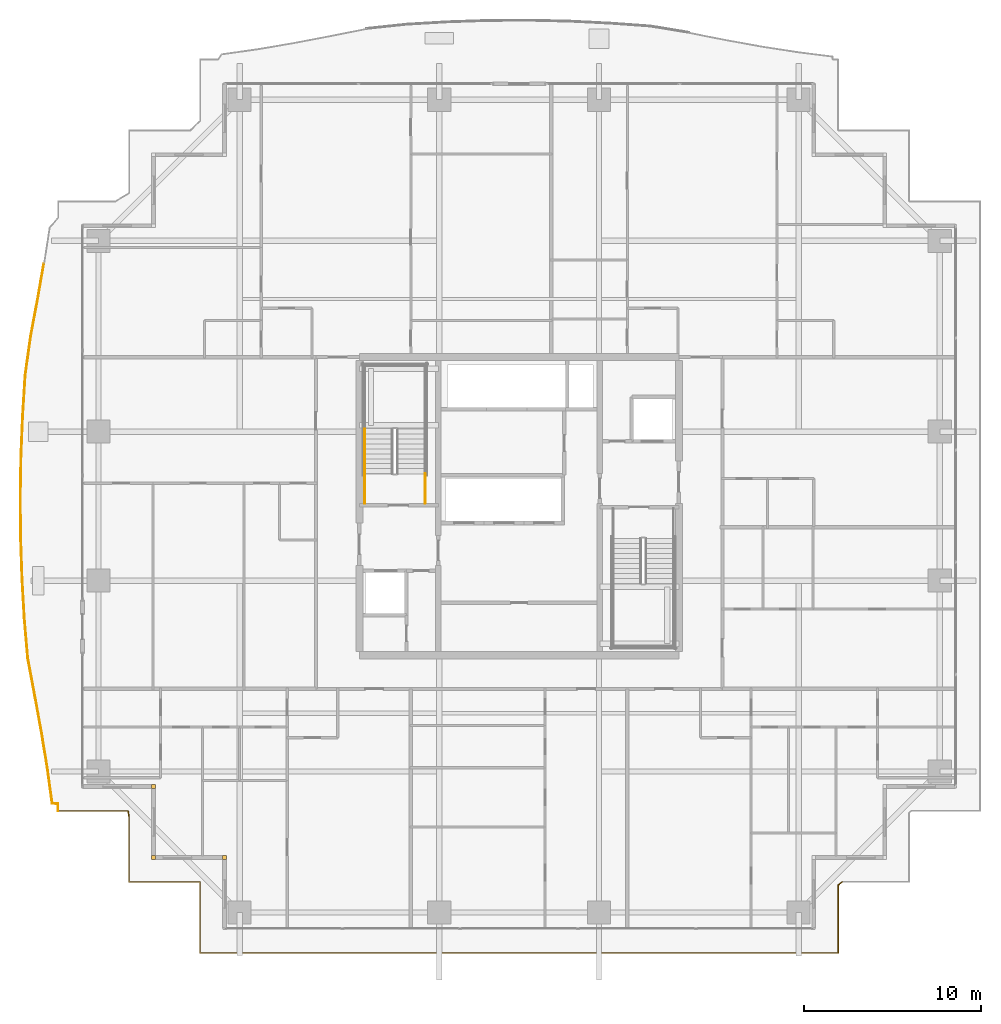
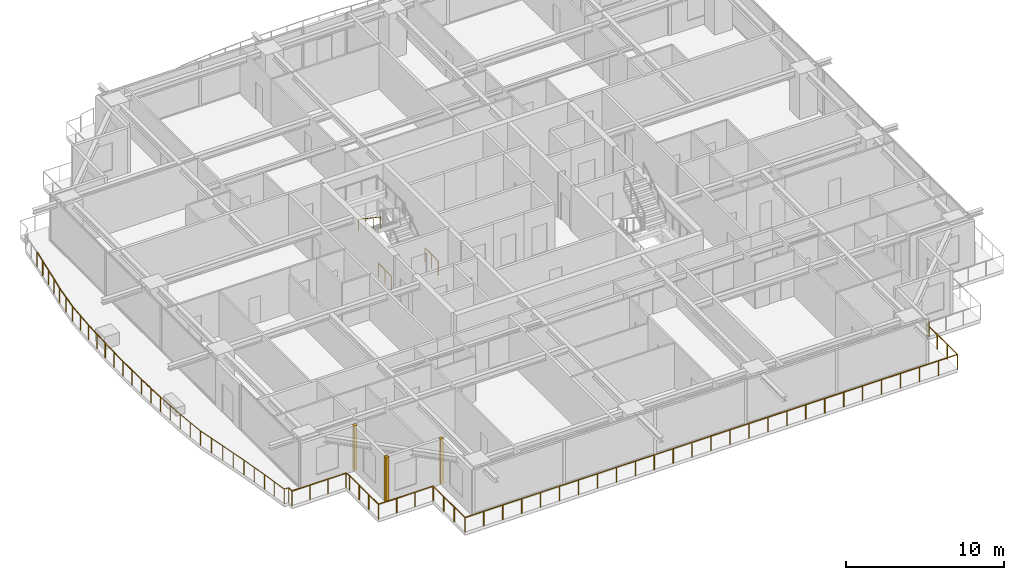
# One storey, part 34 of 38: 6 railings, 3 coverings.
"""IFC4 building model written with IfcOpenShell, lengths in metres."""

import ifcopenshell
import ifcopenshell.guid

model = None  # the IFC model being written
_history = None  # IfcOwnerHistory: only IFC2X3 demands one
_inside = {}  # id of a spatial element -> (the spatial element, [elements in it])
_under = {}  # id of a project, library or spatial element -> (it, [spatial elements below it])
_declared = {}  # id of a project -> (the project, [libraries it declares])
_typed = {}  # id of a type object -> (the type object, [elements of that type])
_made_of = {}  # id of a material, layer set ... -> (it, [elements and type objects made of it])


def new_model(schema):
    """Start an empty IFC model of exactly this schema.

    Asked for "IFC4X3", IfcOpenShell would pick the latest addendum, in which some entities
    have other attributes; the version numbers below select the first issue.
    IFC2X3 requires an IfcOwnerHistory on every rooted entity: one is made here for all.
    """
    global model, _history
    if schema == "IFC4X3":
        model = ifcopenshell.file(schema_version=(4, 3, 0, 0))
    else:
        model = ifcopenshell.file(schema=schema)
    _inside.clear()
    _under.clear()
    _declared.clear()
    _typed.clear()
    _made_of.clear()
    _history = None
    if model.schema == "IFC2X3":
        org = make("IfcOrganization", Name="unknown")
        user = make(
            "IfcPersonAndOrganization",
            ThePerson=make("IfcPerson", FamilyName="unknown"),
            TheOrganization=org,
        )
        app = make(
            "IfcApplication",
            ApplicationDeveloper=org,
            Version="unknown",
            ApplicationFullName="unknown",
            ApplicationIdentifier="unknown",
        )
        _history = make(
            "IfcOwnerHistory",
            OwningUser=user,
            OwningApplication=app,
            ChangeAction="ADDED",
            CreationDate=0,
        )
    return model


def make(cls, **values):
    """One entity of the class cls with the attributes given. An attribute that is None is left unset."""
    return model.create_entity(
        cls, **{name: value for name, value in values.items() if value is not None}
    )


def rooted(cls, **values):
    """An entity with a GlobalId (a new one), such as an element, a storey or a relation."""
    return make(cls, GlobalId=ifcopenshell.guid.new(), OwnerHistory=_history, **values)


def si_unit(unit_type, name, prefix=None):
    """IfcSIUnit, for example si_unit("LENGTHUNIT", "METRE", prefix="MILLI")."""
    return make("IfcSIUnit", UnitType=unit_type, Prefix=prefix, Name=name)


def assignment(units):
    """IfcUnitAssignment: the units of a project."""
    return None if units is None else make("IfcUnitAssignment", Units=units)


def point(xyz):
    """IfcCartesianPoint."""
    return None if xyz is None else make("IfcCartesianPoint", Coordinates=xyz)


def direction(xyz):
    """IfcDirection."""
    return None if xyz is None else make("IfcDirection", DirectionRatios=xyz)


def frame(location, z_axis=None, x_axis=None):
    """IfcAxis2Placement3D, a coordinate frame: its origin and axes. An axis left out is left unset."""
    return make(
        "IfcAxis2Placement3D",
        Location=point(location),
        Axis=direction(z_axis),
        RefDirection=direction(x_axis),
    )


def frame_2d(location, x_axis=None):
    """IfcAxis2Placement2D, a coordinate frame in the plane: its origin and x axis."""
    return make(
        "IfcAxis2Placement2D", Location=point(location), RefDirection=direction(x_axis)
    )


def origin():
    """The frame at (0, 0, 0) with its axes left unset."""
    return frame((0.0, 0.0, 0.0))


def origin_2d():
    """The frame at (0, 0) in the plane with its x axis left unset."""
    return frame_2d((0.0, 0.0))


def place(relative_to, where):
    """IfcLocalPlacement: puts the frame where relative to a parent placement (None: the world)."""
    return make(
        "IfcLocalPlacement", PlacementRelTo=relative_to, RelativePlacement=where
    )


def context(
    kind, dimensions, precision=None, world=None, true_north=None, identifier=None
):
    """IfcGeometricRepresentationContext, for example the 3D "Model" context."""
    return make(
        "IfcGeometricRepresentationContext",
        ContextIdentifier=identifier,
        ContextType=kind,
        CoordinateSpaceDimension=dimensions,
        Precision=precision,
        WorldCoordinateSystem=world,
        TrueNorth=true_north,
    )


def subcontext(parent, identifier, kind, view, scale=None):
    """IfcGeometricRepresentationSubContext, for example "Body" below "Model"."""
    return make(
        "IfcGeometricRepresentationSubContext",
        ContextIdentifier=identifier,
        ContextType=kind,
        ParentContext=parent,
        TargetScale=scale,
        TargetView=view,
    )


def project(units=None, contexts=None):
    """IfcProject with its units and contexts."""
    return rooted(
        "IfcProject",
        Name="project",
        RepresentationContexts=contexts,
        UnitsInContext=assignment(units),
    )


def spatial(cls, under=None, at=None, **own):
    """A site, building, storey or space (cls), placed at a placement, below another one or the project."""
    s = rooted(cls, ObjectPlacement=at, **own)
    if under is not None:
        _under.setdefault(under.id(), (under, []))[1].append(s)
    return s


def profile(cls, at=None, kind="AREA", **sizes):
    """A parametric profile (cls). Its sizes go by their IFC names, for example OverallWidth=200.0."""
    return make(cls, ProfileType=kind, Position=at, **sizes)


def rectangle(**sizes):
    """IfcRectangleProfileDef."""
    return profile("IfcRectangleProfileDef", **sizes)


def circle(**sizes):
    """IfcCircleProfileDef."""
    return profile("IfcCircleProfileDef", **sizes)


def extrude(swept, where, along, depth):
    """IfcExtrudedAreaSolid: the profile swept, set in the frame where, extruded along a direction by depth."""
    return make(
        "IfcExtrudedAreaSolid",
        SweptArea=swept,
        Position=where,
        ExtrudedDirection=direction(along),
        Depth=depth,
    )


def shape(context_of_items, identifier, shape_type, items):
    """IfcShapeRepresentation: the items that make up one representation, for example the "Body"."""
    return make(
        "IfcShapeRepresentation",
        ContextOfItems=context_of_items,
        RepresentationIdentifier=identifier,
        RepresentationType=shape_type,
        Items=items,
    )


def source(mapping_origin, context_of_items, identifier, shape_type, items):
    """IfcRepresentationMap: a shape defined once, which mapped items show again and again."""
    return make(
        "IfcRepresentationMap",
        MappingOrigin=mapping_origin,
        MappedRepresentation=shape(context_of_items, identifier, shape_type, items),
    )


def transform(
    local_origin,
    x_axis=None,
    y_axis=None,
    z_axis=None,
    scale=None,
    scale2=None,
    scale3=None,
    uniform=True,
):
    """IfcCartesianTransformationOperator3D, or its non-uniform kind. x_axis, y_axis, z_axis: its Axis1, 2, 3."""
    if uniform:
        return make(
            "IfcCartesianTransformationOperator3D",
            Axis1=direction(x_axis),
            Axis2=direction(y_axis),
            LocalOrigin=point(local_origin),
            Scale=scale,
            Axis3=direction(z_axis),
        )
    return make(
        "IfcCartesianTransformationOperator3DnonUniform",
        Axis1=direction(x_axis),
        Axis2=direction(y_axis),
        LocalOrigin=point(local_origin),
        Scale=scale,
        Axis3=direction(z_axis),
        Scale2=scale2,
        Scale3=scale3,
    )


def mapped(mapping_source, mapping_target):
    """IfcMappedItem: shows the shape of a source again, moved by a transform."""
    return make(
        "IfcMappedItem", MappingSource=mapping_source, MappingTarget=mapping_target
    )


def material(Name=None, Category=None):
    """IfcMaterial."""
    return make("IfcMaterial", Name=Name, Category=Category)


def layer(
    of_material, thickness, ventilated=None, Name=None, Category=None, Priority=None
):
    """IfcMaterialLayer: one layer of a wall or slab, of a material (None: an air gap)."""
    return make(
        "IfcMaterialLayer",
        Material=of_material,
        LayerThickness=thickness,
        IsVentilated=ventilated,
        Name=Name,
        Category=Category,
        Priority=Priority,
    )


def layer_set(layers, Name=None):
    """IfcMaterialLayerSet."""
    return make("IfcMaterialLayerSet", MaterialLayers=layers, LayerSetName=Name)


def made_of(thing, what):
    """Note that an element or type object is made of a material, layer set ...; save() writes the relation."""
    if what is not None:
        _made_of.setdefault(what.id(), (what, []))[1].append(thing)
    return thing


def type_object(cls, material=None, **own):
    """A type object (cls), such as IfcWallType, which elements share."""
    return made_of(rooted(cls, **own), material)


def element(
    cls,
    number,
    at=None,
    inside=None,
    cuts=None,
    type_object=None,
    material=None,
    context=None,
    identifier="Body",
    shape_type=None,
    held_by="IfcProductDefinitionShape",
    body=None,
    shapes=None,
    **own,
):
    """One element of the class cls, such as IfcWall. Its Tag is "e" and its number.

    at: its placement. inside: the storey or other place that contains it. cuts: it is an
    opening in that element (IfcRelVoidsElement). A single representation is given by context,
    identifier, shape_type and body (its items); several are given by shapes. held_by: the class
    of the entity that holds the representations. save() writes the other relations.
    """
    e = rooted(cls, Tag="e%d" % number, ObjectPlacement=at, **own)
    if body is not None:
        shapes = [shape(context, identifier, shape_type, body)]
    if shapes is not None:
        e.Representation = make(held_by, Representations=shapes)
    if inside is not None:
        _inside.setdefault(inside.id(), (inside, []))[1].append(e)
    if cuts is not None:
        rooted(
            "IfcRelVoidsElement", RelatingBuildingElement=cuts, RelatedOpeningElement=e
        )
    if type_object is not None:
        _typed.setdefault(type_object.id(), (type_object, []))[1].append(e)
    return made_of(e, material)


def aggregate(whole, parts):
    """IfcRelAggregates: a whole, such as a stair, and the parts it consists of."""
    return rooted("IfcRelAggregates", RelatingObject=whole, RelatedObjects=parts)


def save(model, path):
    """Write the relations noted so far, then the file.

    IfcRelAggregates (storeys below a building ...), IfcRelContainedInSpatialStructure (elements
    in a storey), IfcRelDefinesByType, IfcRelAssociatesMaterial and IfcRelDeclares: one each for
    every whole, place, type object, material and project.
    """
    for whole, parts in _under.values():
        aggregate(whole, parts)
    for where, things in _inside.values():
        rooted(
            "IfcRelContainedInSpatialStructure",
            RelatedElements=things,
            RelatingStructure=where,
        )
    for kind, things in _typed.values():
        rooted("IfcRelDefinesByType", RelatedObjects=things, RelatingType=kind)
    for what, things in _made_of.values():
        rooted("IfcRelAssociatesMaterial", RelatedObjects=things, RelatingMaterial=what)
    for by, libraries in _declared.values():
        rooted("IfcRelDeclares", RelatingContext=by, RelatedDefinitions=libraries)
    model.write(path)


model = new_model("IFC4")

# Units and contexts
model_context = context("Model", 3, precision=1e-05, world=origin(), true_north=direction((0.0, 1.0)))
body_context = subcontext(model_context, "Body", "Model", "MODEL_VIEW")
ifc_project = project(units=[si_unit("LENGTHUNIT", "METRE"), si_unit("AREAUNIT", "SQUARE_METRE"), si_unit("VOLUMEUNIT", "CUBIC_METRE"), si_unit("PLANEANGLEUNIT", "RADIAN"), si_unit("MASSUNIT", "GRAM", prefix="KILO")], contexts=[model_context])

# Site, building, storey
site_placement = place(None, origin())
site = spatial("IfcSite", under=ifc_project, at=site_placement, CompositionType="ELEMENT")
building_placement = place(site_placement, origin())
building = spatial("IfcBuilding", under=site, at=building_placement, Name="Serunith Strait Residences", CompositionType="ELEMENT")
storey_placement = place(building_placement, frame((0.0, 0.0, 183.89990234375)))
storey = spatial("IfcBuildingStorey", under=building, at=storey_placement, Name="L46", CompositionType="ELEMENT", Elevation=183.89990234375)

# Railings
ifc_material_1 = material(Name="Stainless Steel & Laminated Glass Balustrade", Category="steel")
railing_type_1 = type_object("IfcRailingType", Name="RLG-BALC-1150", PredefinedType="BALUSTRADE", material=ifc_material_1)
railing_1_placement = place(storey_placement, frame((6.419921875, 8.02001953125, -0.0498046875)))
element("IfcRailing", 1, at=railing_1_placement, inside=storey, type_object=railing_type_1, Name="L46 Swirling Balcony Perimeter Balustrade 1", PredefinedType="BALUSTRADE", context=body_context, shape_type="SweptSolid", body=[
    extrude(circle(Radius=0.02392578125, at=origin_2d()), frame((0.0, 0.001953125, 1.1259765625), z_axis=(0.0, 1.0, 0.0), x_axis=(-1.0, 0.0, 0.0)), (0.0, 0.0, 1.0), 0.405029296875),
    extrude(circle(Radius=0.02392578125, at=origin_2d()), frame((-0.001953125, 0.408935546875, 1.1259765625), z_axis=(-0.998325790598, 0.057841298628, 0.0), x_axis=(-0.057841298628, -0.998325790598, 0.0)), (0.0, 0.0, 1.0), 0.321044921875),
    extrude(circle(Radius=0.02392578125, at=origin_2d()), frame((-0.32470703125, 0.4296875, 1.1259765625), z_axis=(-0.136804917562, 0.990598008544, 0.0), x_axis=(-0.990598008544, -0.136804917562, 0.0)), (0.0, 0.0, 1.0), 2.017822265625),
    extrude(circle(Radius=0.02392578125, at=origin_2d()), frame((-0.601318359375, 2.4326171875, 1.1259765625), z_axis=(-0.161288178164, 0.986907353091, 0.0), x_axis=(-0.986907353091, -0.161288178164, 0.0)), (0.0, 0.0, 1.0), 2.045654296875),
    extrude(circle(Radius=0.02392578125, at=origin_2d()), frame((-0.931884765625, 4.455322265625, 1.1259765625), z_axis=(-0.179131738735, 0.983825096335, 0.0), x_axis=(-0.983825096335, -0.179131738735, 0.0)), (0.0, 0.0, 1.0), 2.08935546875),
    extrude(circle(Radius=0.02392578125, at=origin_2d()), frame((-1.30712890625, 6.514892578125, 1.1259765625), z_axis=(-0.184295386812, 0.982870902204, 0.0), x_axis=(-0.982870902204, -0.184295386812, 0.0)), (0.0, 0.0, 1.0), 2.1474609375),
    extrude(circle(Radius=0.02392578125, at=origin_2d()), frame((-1.703369140625, 8.62939453125, 1.1259765625), z_axis=(-0.086554161922, 0.996247146573, 0.0), x_axis=(-0.996247146573, -0.086554161922, 0.0)), (0.0, 0.0, 1.0), 2.22998046875),
    extrude(circle(Radius=0.02392578125, at=origin_2d()), frame((-1.896484375, 10.85498046875, 1.1259765625), z_axis=(-0.055809488986, 0.998441435909, 0.0), x_axis=(-0.998441435909, -0.055809488986, 0.0)), (0.0, 0.0, 1.0), 2.266357421875),
    extrude(circle(Radius=0.02099609375, at=origin_2d()), origin(), (0.0, 0.0, 1.0), 1.099853515625),
    extrude(circle(Radius=0.02099609375, at=origin_2d()), frame((0.0, 0.408935546875, 0.0)), (0.0, 0.0, 1.0), 1.099853515625),
    extrude(circle(Radius=0.02099609375, at=origin_2d()), frame((-0.324462890625, 0.427734375, 0.0)), (0.0, 0.0, 1.0), 1.099853515625),
    extrude(circle(Radius=0.02099609375, at=origin_2d()), frame((-0.462890625, 1.42919921875, 0.0)), (0.0, 0.0, 1.0), 1.099853515625),
    extrude(circle(Radius=0.02099609375, at=origin_2d()), frame((-0.60107421875, 2.4306640625, 0.0)), (0.0, 0.0, 1.0), 1.099853515625),
    extrude(circle(Radius=0.02099609375, at=origin_2d()), frame((-0.766357421875, 3.44189453125, 0.0)), (0.0, 0.0, 1.0), 1.099853515625),
    extrude(circle(Radius=0.02099609375, at=origin_2d()), frame((-0.931640625, 4.453369140625, 0.0)), (0.0, 0.0, 1.0), 1.099853515625),
    extrude(circle(Radius=0.02099609375, at=origin_2d()), frame((-1.119140625, 5.483154296875, 0.0)), (0.0, 0.0, 1.0), 1.099853515625),
    extrude(circle(Radius=0.02099609375, at=origin_2d()), frame((-1.306640625, 6.512939453125, 0.0)), (0.0, 0.0, 1.0), 1.099853515625),
    extrude(circle(Radius=0.02099609375, at=origin_2d()), frame((-1.5048828125, 7.5703125, 0.0)), (0.0, 0.0, 1.0), 1.099853515625),
    extrude(circle(Radius=0.02099609375, at=origin_2d()), frame((-1.703125, 8.62744140625, 0.0)), (0.0, 0.0, 1.0), 1.099853515625),
    extrude(circle(Radius=0.02099609375, at=origin_2d()), frame((-1.7998046875, 9.740234375, 0.0)), (0.0, 0.0, 1.0), 1.099853515625),
    extrude(circle(Radius=0.02099609375, at=origin_2d()), frame((-1.896484375, 10.85302734375, 0.0)), (0.0, 0.0, 1.0), 1.099853515625),
    extrude(circle(Radius=0.02099609375, at=origin_2d()), frame((-1.9599609375, 11.986328125, 0.0)), (0.0, 0.0, 1.0), 1.099853515625),
    extrude(circle(Radius=0.02099609375, at=origin_2d()), frame((-2.023193359375, 13.119873046875, 0.0)), (0.0, 0.0, 1.0), 1.099853515625),
])
railing_2_placement = place(storey_placement, frame((4.396728515625, 21.139892578125, -0.0498046875)))
element("IfcRailing", 2, at=railing_2_placement, inside=storey, type_object=railing_type_1, Name="L46 Swirling Balcony Perimeter Balustrade 2", PredefinedType="BALUSTRADE", context=body_context, shape_type="SweptSolid", body=[
    extrude(circle(Radius=0.02392578125, at=origin_2d()), frame((0.0, 0.001953125, 1.1259765625), z_axis=(-0.033658845598, 0.999433380528, 0.0), x_axis=(-0.999433380528, -0.033658845598, 0.0)), (0.0, 0.0, 1.0), 2.2880859375),
    extrude(circle(Radius=0.02392578125, at=origin_2d()), frame((-0.0771484375, 2.292724609375, 1.1259765625), z_axis=(-0.008800422635, 0.999961275531, 0.0), x_axis=(-0.999961275531, -0.008800422635, 0.0)), (0.0, 0.0, 1.0), 2.298583984375),
    extrude(circle(Radius=0.02392578125, at=origin_2d()), frame((-0.097412109375, 4.59521484375, 1.1259765625), z_axis=(0.01677224494, 0.999859336007, 0.0), x_axis=(-0.999859336007, 0.01677224494, 0.0)), (0.0, 0.0, 1.0), 2.2958984375),
    extrude(circle(Radius=0.02392578125, at=origin_2d()), frame((-0.058837890625, 6.894775390625, 1.1259765625), z_axis=(0.04112843357, 0.999153868006, 0.0), x_axis=(-0.999153868006, 0.04112843357, 0.0)), (0.0, 0.0, 1.0), 2.281494140625),
    extrude(circle(Radius=0.02392578125, at=origin_2d()), frame((0.035400390625, 9.17822265625, 1.1259765625), z_axis=(0.062008378718, 0.998075628882, 0.0), x_axis=(-0.998075628882, 0.062008378718, 0.0)), (0.0, 0.0, 1.0), 2.255859375),
    extrude(circle(Radius=0.02392578125, at=origin_2d()), frame((0.175537109375, 11.433837890625, 1.1259765625), z_axis=(0.137780332691, 0.990462810975, 0.0), x_axis=(-0.990462810975, 0.137780332691, 0.0)), (0.0, 0.0, 1.0), 2.193115234375),
    extrude(circle(Radius=0.02392578125, at=origin_2d()), frame((0.478515625, 13.610107421875, 1.1259765625), z_axis=(0.183927833079, 0.982939750045, 0.0), x_axis=(-0.982939750045, 0.183927833079, 0.0)), (0.0, 0.0, 1.0), 2.12109375),
    extrude(circle(Radius=0.02392578125, at=origin_2d()), frame((0.869140625, 15.698974609375, 1.1259765625), z_axis=(0.172931804666, 0.98493380028, 0.0), x_axis=(-0.98493380028, 0.172931804666, 0.0)), (0.0, 0.0, 1.0), 2.068603515625),
    extrude(circle(Radius=0.02099609375, at=origin_2d()), origin(), (0.0, 0.0, 1.0), 1.099853515625),
    extrude(circle(Radius=0.02099609375, at=origin_2d()), frame((-0.03857421875, 1.1455078125, 0.0)), (0.0, 0.0, 1.0), 1.099853515625),
    extrude(circle(Radius=0.02099609375, at=origin_2d()), frame((-0.0771484375, 2.290771484375, 0.0)), (0.0, 0.0, 1.0), 1.099853515625),
    extrude(circle(Radius=0.02099609375, at=origin_2d()), frame((-0.08740234375, 3.44189453125, 0.0)), (0.0, 0.0, 1.0), 1.099853515625),
    extrude(circle(Radius=0.02099609375, at=origin_2d()), frame((-0.097412109375, 4.59326171875, 0.0)), (0.0, 0.0, 1.0), 1.099853515625),
    extrude(circle(Radius=0.02099609375, at=origin_2d()), frame((-0.078125, 5.7431640625, 0.0)), (0.0, 0.0, 1.0), 1.099853515625),
    extrude(circle(Radius=0.02099609375, at=origin_2d()), frame((-0.058837890625, 6.892822265625, 0.0)), (0.0, 0.0, 1.0), 1.099853515625),
    extrude(circle(Radius=0.02099609375, at=origin_2d()), frame((-0.01171875, 8.03466796875, 0.0)), (0.0, 0.0, 1.0), 1.099853515625),
    extrude(circle(Radius=0.02099609375, at=origin_2d()), frame((0.03515625, 9.17626953125, 0.0)), (0.0, 0.0, 1.0), 1.099853515625),
    extrude(circle(Radius=0.02099609375, at=origin_2d()), frame((0.105224609375, 10.30419921875, 0.0)), (0.0, 0.0, 1.0), 1.099853515625),
    extrude(circle(Radius=0.02099609375, at=origin_2d()), frame((0.17529296875, 11.431884765625, 0.0)), (0.0, 0.0, 1.0), 1.099853515625),
    extrude(circle(Radius=0.02099609375, at=origin_2d()), frame((0.32666015625, 12.52001953125, 0.0)), (0.0, 0.0, 1.0), 1.099853515625),
    extrude(circle(Radius=0.02099609375, at=origin_2d()), frame((0.47802734375, 13.608154296875, 0.0)), (0.0, 0.0, 1.0), 1.099853515625),
    extrude(circle(Radius=0.02099609375, at=origin_2d()), frame((0.67333984375, 14.652587890625, 0.0)), (0.0, 0.0, 1.0), 1.099853515625),
    extrude(circle(Radius=0.02099609375, at=origin_2d()), frame((0.868896484375, 15.697021484375, 0.0)), (0.0, 0.0, 1.0), 1.099853515625),
    extrude(circle(Radius=0.02099609375, at=origin_2d()), frame((1.048095703125, 16.7177734375, 0.0)), (0.0, 0.0, 1.0), 1.099853515625),
    extrude(circle(Radius=0.02099609375, at=origin_2d()), frame((1.227294921875, 17.73828125, 0.0)), (0.0, 0.0, 1.0), 1.099853515625),
])
railing_3_placement = place(storey_placement, frame((50.601806640625, 4.02001953125, -0.0498046875)))
element("IfcRailing", 3, at=railing_3_placement, inside=storey, type_object=railing_type_1, Name="L46 Swirling Balcony Perimeter Balustrade 8", PredefinedType="BALUSTRADE", context=body_context, shape_type="SweptSolid", body=[
    extrude(circle(Radius=0.02392578125, at=origin_2d()), frame((-0.00146484375, -0.001220703125, 1.1259765625), z_axis=(-0.778021630841, -0.62823748849, 0.0), x_axis=(0.62823748849, -0.778021630841, 0.0)), (0.0, 0.0, 1.0), 0.28125),
    extrude(circle(Radius=0.02392578125, at=origin_2d()), frame((-0.221923828125, -0.18115234375, 1.1259765625), z_axis=(0.0, -1.0, 0.0), x_axis=(1.0, 0.0, 0.0)), (0.0, 0.0, 1.0), 3.81689453125),
    extrude(circle(Radius=0.02392578125, at=origin_2d()), frame((-0.223876953125, -4.0, 1.1259765625), z_axis=(-1.0, 0.0, 0.0), x_axis=(0.0, -1.0, 0.0)), (0.0, 0.0, 1.0), 35.9560546875),
    extrude(circle(Radius=0.02392578125, at=origin_2d()), frame((-36.181884765625, -3.998046875, 1.1259765625), z_axis=(0.0, 1.0, 0.0), x_axis=(-1.0, 0.0, 0.0)), (0.0, 0.0, 1.0), 3.99609375),
    extrude(circle(Radius=0.02392578125, at=origin_2d()), frame((-36.183837890625, 0.0, 1.1259765625), z_axis=(-1.0, 0.0, 0.0), x_axis=(0.0, -1.0, 0.0)), (0.0, 0.0, 1.0), 3.99609375),
    extrude(circle(Radius=0.02392578125, at=origin_2d()), frame((-40.181884765625, 0.001953125, 1.1259765625), z_axis=(0.0, 1.0, 0.0), x_axis=(-1.0, 0.0, 0.0)), (0.0, 0.0, 1.0), 3.643798828125),
    extrude(circle(Radius=0.02392578125, at=origin_2d()), frame((-40.18212890625, 3.649658203125, 1.1259765625), z_axis=(-0.145355815941, 0.989379445295, 0.0), x_axis=(-0.989379445295, -0.145355815941, 0.0)), (0.0, 0.0, 1.0), 0.35205078125),
    extrude(circle(Radius=0.02392578125, at=origin_2d()), frame((-40.235595703125, 4.0, 1.1259765625), z_axis=(-1.0, 0.0, 0.0), x_axis=(0.0, -1.0, 0.0)), (0.0, 0.0, 1.0), 3.9443359375),
    extrude(circle(Radius=0.02099609375, at=origin_2d()), origin(), (0.0, 0.0, 1.0), 1.099853515625),
    extrude(circle(Radius=0.02099609375, at=origin_2d()), frame((-0.221923828125, -0.17919921875, 0.0)), (0.0, 0.0, 1.0), 1.099853515625),
    extrude(circle(Radius=0.02099609375, at=origin_2d()), frame((-0.221923828125, -1.452880859375, 0.0)), (0.0, 0.0, 1.0), 1.099853515625),
    extrude(circle(Radius=0.02099609375, at=origin_2d()), frame((-0.221923828125, -2.726318359375, 0.0)), (0.0, 0.0, 1.0), 1.099853515625),
    extrude(circle(Radius=0.02099609375, at=origin_2d()), frame((-0.221923828125, -4.0, 0.0)), (0.0, 0.0, 1.0), 1.099853515625),
    extrude(circle(Radius=0.02099609375, at=origin_2d()), frame((-1.60498046875, -4.0, 0.0)), (0.0, 0.0, 1.0), 1.099853515625),
    extrude(circle(Radius=0.02099609375, at=origin_2d()), frame((-2.988037109375, -4.0, 0.0)), (0.0, 0.0, 1.0), 1.099853515625),
    extrude(circle(Radius=0.02099609375, at=origin_2d()), frame((-4.37109375, -4.0, 0.0)), (0.0, 0.0, 1.0), 1.099853515625),
    extrude(circle(Radius=0.02099609375, at=origin_2d()), frame((-5.754150390625, -4.0, 0.0)), (0.0, 0.0, 1.0), 1.099853515625),
    extrude(circle(Radius=0.02099609375, at=origin_2d()), frame((-7.13720703125, -4.0, 0.0)), (0.0, 0.0, 1.0), 1.099853515625),
    extrude(circle(Radius=0.02099609375, at=origin_2d()), frame((-8.520263671875, -4.0, 0.0)), (0.0, 0.0, 1.0), 1.099853515625),
    extrude(circle(Radius=0.02099609375, at=origin_2d()), frame((-9.903564453125, -4.0, 0.0)), (0.0, 0.0, 1.0), 1.099853515625),
    extrude(circle(Radius=0.02099609375, at=origin_2d()), frame((-11.28662109375, -4.0, 0.0)), (0.0, 0.0, 1.0), 1.099853515625),
    extrude(circle(Radius=0.02099609375, at=origin_2d()), frame((-12.669677734375, -4.0, 0.0)), (0.0, 0.0, 1.0), 1.099853515625),
    extrude(circle(Radius=0.02099609375, at=origin_2d()), frame((-14.052734375, -4.0, 0.0)), (0.0, 0.0, 1.0), 1.099853515625),
    extrude(circle(Radius=0.02099609375, at=origin_2d()), frame((-15.435791015625, -4.0, 0.0)), (0.0, 0.0, 1.0), 1.099853515625),
    extrude(circle(Radius=0.02099609375, at=origin_2d()), frame((-16.81884765625, -4.0, 0.0)), (0.0, 0.0, 1.0), 1.099853515625),
    extrude(circle(Radius=0.02099609375, at=origin_2d()), frame((-18.201904296875, -4.0, 0.0)), (0.0, 0.0, 1.0), 1.099853515625),
    extrude(circle(Radius=0.02099609375, at=origin_2d()), frame((-19.5849609375, -4.0, 0.0)), (0.0, 0.0, 1.0), 1.099853515625),
    extrude(circle(Radius=0.02099609375, at=origin_2d()), frame((-20.968017578125, -4.0, 0.0)), (0.0, 0.0, 1.0), 1.099853515625),
    extrude(circle(Radius=0.02099609375, at=origin_2d()), frame((-22.35107421875, -4.0, 0.0)), (0.0, 0.0, 1.0), 1.099853515625),
    extrude(circle(Radius=0.02099609375, at=origin_2d()), frame((-23.734130859375, -4.0, 0.0)), (0.0, 0.0, 1.0), 1.099853515625),
    extrude(circle(Radius=0.02099609375, at=origin_2d()), frame((-25.1171875, -4.0, 0.0)), (0.0, 0.0, 1.0), 1.099853515625),
    extrude(circle(Radius=0.02099609375, at=origin_2d()), frame((-26.500244140625, -4.0, 0.0)), (0.0, 0.0, 1.0), 1.099853515625),
    extrude(circle(Radius=0.02099609375, at=origin_2d()), frame((-27.883544921875, -4.0, 0.0)), (0.0, 0.0, 1.0), 1.099853515625),
    extrude(circle(Radius=0.02099609375, at=origin_2d()), frame((-29.2666015625, -4.0, 0.0)), (0.0, 0.0, 1.0), 1.099853515625),
    extrude(circle(Radius=0.02099609375, at=origin_2d()), frame((-30.649658203125, -4.0, 0.0)), (0.0, 0.0, 1.0), 1.099853515625),
    extrude(circle(Radius=0.02099609375, at=origin_2d()), frame((-32.03271484375, -4.0, 0.0)), (0.0, 0.0, 1.0), 1.099853515625),
    extrude(circle(Radius=0.02099609375, at=origin_2d()), frame((-33.415771484375, -4.0, 0.0)), (0.0, 0.0, 1.0), 1.099853515625),
    extrude(circle(Radius=0.02099609375, at=origin_2d()), frame((-34.798828125, -4.0, 0.0)), (0.0, 0.0, 1.0), 1.099853515625),
    extrude(circle(Radius=0.02099609375, at=origin_2d()), frame((-36.181884765625, -4.0, 0.0)), (0.0, 0.0, 1.0), 1.099853515625),
    extrude(circle(Radius=0.02099609375, at=origin_2d()), frame((-36.181884765625, -2.666748046875, 0.0)), (0.0, 0.0, 1.0), 1.099853515625),
    extrude(circle(Radius=0.02099609375, at=origin_2d()), frame((-36.181884765625, -1.333251953125, 0.0)), (0.0, 0.0, 1.0), 1.099853515625),
    extrude(circle(Radius=0.02099609375, at=origin_2d()), frame((-36.181884765625, 0.0, 0.0)), (0.0, 0.0, 1.0), 1.099853515625),
    extrude(circle(Radius=0.02099609375, at=origin_2d()), frame((-37.51513671875, 0.0, 0.0)), (0.0, 0.0, 1.0), 1.099853515625),
    extrude(circle(Radius=0.02099609375, at=origin_2d()), frame((-38.8486328125, 0.0, 0.0)), (0.0, 0.0, 1.0), 1.099853515625),
    extrude(circle(Radius=0.02099609375, at=origin_2d()), frame((-40.181884765625, 0.0, 0.0)), (0.0, 0.0, 1.0), 1.099853515625),
    extrude(circle(Radius=0.02099609375, at=origin_2d()), frame((-40.181884765625, 1.2158203125, 0.0)), (0.0, 0.0, 1.0), 1.099853515625),
    extrude(circle(Radius=0.02099609375, at=origin_2d()), frame((-40.181884765625, 2.431884765625, 0.0)), (0.0, 0.0, 1.0), 1.099853515625),
    extrude(circle(Radius=0.02099609375, at=origin_2d()), frame((-40.181884765625, 3.647705078125, 0.0)), (0.0, 0.0, 1.0), 1.099853515625),
    extrude(circle(Radius=0.02099609375, at=origin_2d()), frame((-40.233642578125, 4.0, 0.0)), (0.0, 0.0, 1.0), 1.099853515625),
    extrude(circle(Radius=0.02099609375, at=origin_2d()), frame((-41.5498046875, 4.0, 0.0)), (0.0, 0.0, 1.0), 1.099853515625),
    extrude(circle(Radius=0.02099609375, at=origin_2d()), frame((-42.86572265625, 4.0, 0.0)), (0.0, 0.0, 1.0), 1.099853515625),
    extrude(circle(Radius=0.02099609375, at=origin_2d()), frame((-44.181884765625, 4.0, 0.0)), (0.0, 0.0, 1.0), 1.099853515625),
])
ifc_material_2 = material(Name="Brushed stainless steel 316L", Category="steel")
railing_type_2 = type_object("IfcRailingType", Name="RLG-STAIR-GUARD", PredefinedType="BALUSTRADE", material=ifc_material_2)
for number, where, name in (
    (4, (27.10009765625, 25.35009765625, 0.0), "L46 ST-1 stair guard 8"),
    (5, (23.699951171875, 25.35009765625, 0.0), "L46 ST-1 stair guard 9"),
):
    element("IfcRailing", number, at=place(storey_placement, frame(where)), inside=storey, type_object=railing_type_2, Name=name, PredefinedType="BALUSTRADE", context=body_context, shape_type="SweptSolid", body=[
        extrude(circle(Radius=0.02392578125, at=origin_2d()), frame((0.0, 0.001953125, 1.076171875), z_axis=(0.0, 1.0, 0.0), x_axis=(-1.0, 0.0, 0.0)), (0.0, 0.0, 1.0), 1.676025390625),
        extrude(circle(Radius=0.02099609375, at=origin_2d()), origin(), (0.0, 0.0, 1.0), 1.050048828125),
        extrude(circle(Radius=0.02099609375, at=origin_2d()), frame((0.0, 0.83984375, 0.0)), (0.0, 0.0, 1.0), 1.050048828125),
        extrude(circle(Radius=0.02099609375, at=origin_2d()), frame((0.0, 1.679931640625, 0.0)), (0.0, 0.0, 1.0), 1.050048828125),
    ])
railing_type_3 = type_object("IfcRailingType", Name="RLG-STAIR-HR", PredefinedType="HANDRAIL", material=ifc_material_2)
railing_4_placement = place(storey_placement, frame((23.699951171875, 29.550048828125, 2.0625)))
element("IfcRailing", 6, at=railing_4_placement, inside=storey, type_object=railing_type_3, Name="L46 ST-1 stair handrail 2", PredefinedType="HANDRAIL", context=body_context, shape_type="SweptSolid", body=[
    extrude(circle(Radius=0.02392578125, at=origin_2d()), frame((0.0, -0.001708984375, 0.876953125), z_axis=(0.0, -0.830208209119, 0.557453432594), x_axis=(1.0, 0.0, 0.0)), (0.0, 0.0, 1.0), 3.36865234375),
    extrude(circle(Radius=0.02099609375, at=origin_2d()), origin(), (0.0, 0.0, 1.0), 0.849853515625),
    extrude(circle(Radius=0.02099609375, at=origin_2d()), frame((0.0, -0.933349609375, 0.626708984375)), (0.0, 0.0, 1.0), 0.849853515625),
    extrude(circle(Radius=0.02099609375, at=origin_2d()), frame((0.0, -1.86669921875, 1.25341796875)), (0.0, 0.0, 1.0), 0.849853515625),
    extrude(circle(Radius=0.02099609375, at=origin_2d()), frame((0.0, -2.800048828125, 1.880126953125)), (0.0, 0.0, 1.0), 0.849853515625),
])

# Coverings
ifc_material_3 = material(Name="Pale-Champagne Anodised Aluminium", Category="aluminium")
ifc_layer = layer(ifc_material_3, 0.219970703125, Name="Pale-Champagne Anodised Aluminium")
ifc_layer_set = layer_set([ifc_layer], Name="Pale-Champagne Anodised Aluminium")
covering_type = type_object("IfcCoveringType", Name="COV-CORN-TRIM", PredefinedType="CLADDING", material=ifc_layer_set)
shared_shape = source(origin(), body_context, "Body", "SweptSolid", [
    extrude(rectangle(XDim=0.221923828125, YDim=0.221923828125, at=origin_2d()), origin(), (0.0, 0.0, 1.0), 3.47509765625),
])
for number, where, z_axis, x_axis, name in (
    (7, (11.800048828125, 9.39990234375, 0.0), (0.0, 0.0, 1.0), (1.0, 0.0, 0.0), "L46 Girih Serrated Corner Trim Post 17"),
    (8, (11.800048828125, 5.39990234375, 0.0), (0.0, 0.0, 1.0), (1.0, 0.0, 0.0), "L46 Girih Serrated Corner Trim Post 18"),
    (9, (15.800048828125, 5.39990234375, 0.0), (0.0, 0.0, 1.0), (1.0, 0.0, 0.0), "L46 Girih Serrated Corner Trim Post 19"),
):
    element("IfcCovering", number, at=place(storey_placement, frame(where, z_axis=z_axis, x_axis=x_axis)), inside=storey, type_object=covering_type, Name=name, PredefinedType="CLADDING", context=body_context, shape_type="MappedRepresentation", body=[
        mapped(shared_shape, transform((0.0, 0.0, 0.0), scale=1.0)),
    ])

save(model, "model.ifc")
